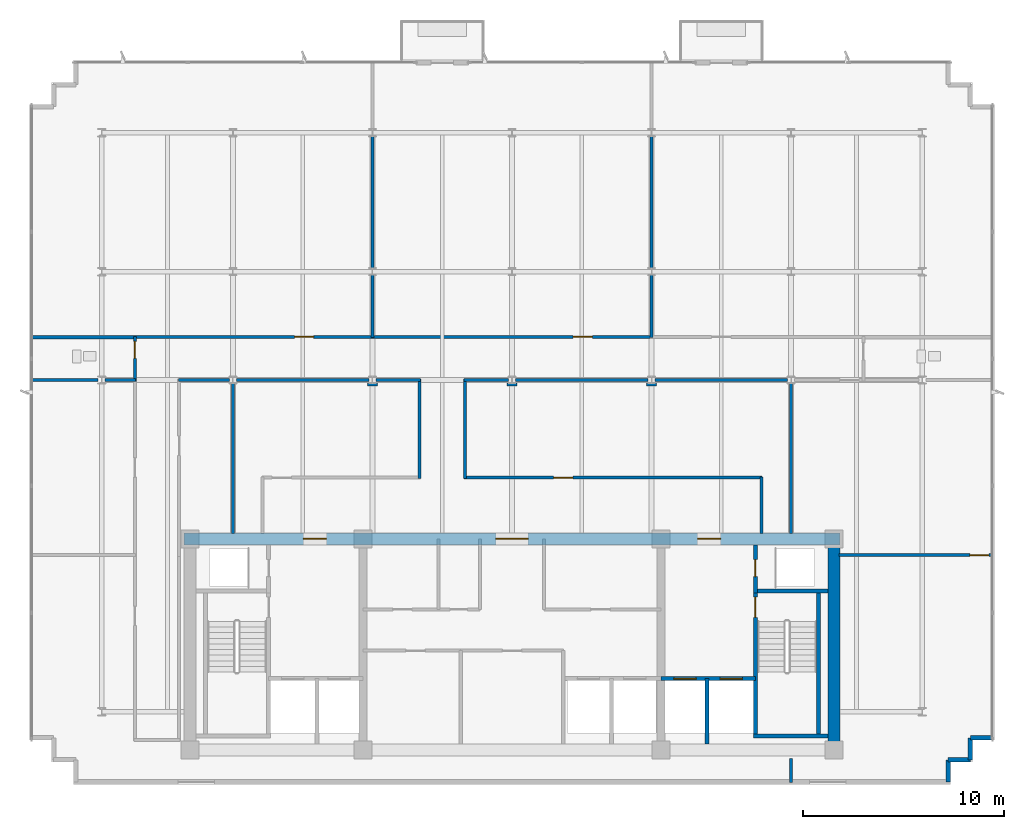
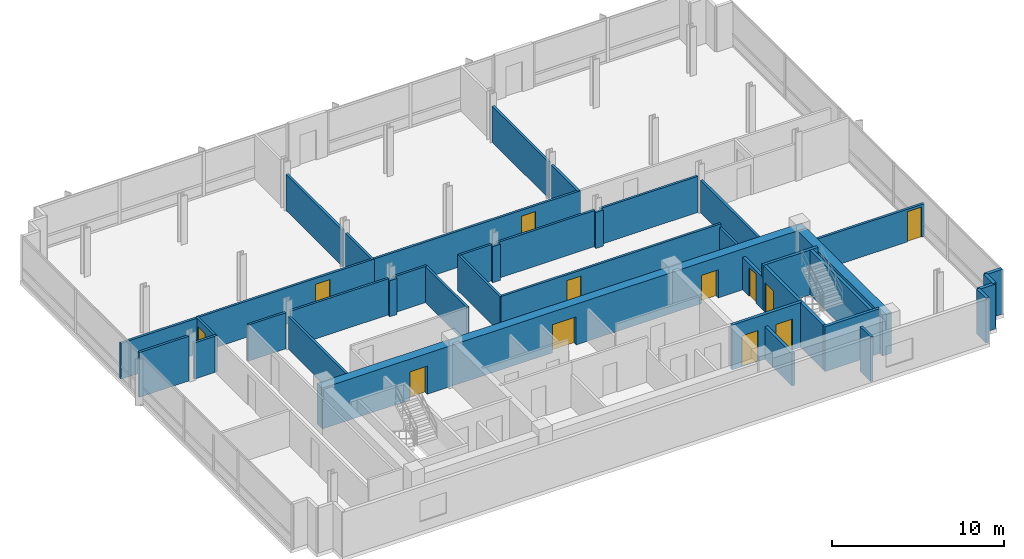
# One storey, part 9 of 13: 40 walls, 12 doors, 12 openings.
"""IFC4 building model written with IfcOpenShell, lengths in metres."""

from ifc_helpers import new_model, si_unit, direction, frame, frame_2d, origin, place, context, subcontext, project, spatial, rectangle, extrude, material, layer, layer_set, type_object, element, fill, save


model = new_model("IFC4")

# Units and contexts
model_context = context("Model", 3, precision=1e-05, world=origin(), true_north=direction((0.0, 1.0)))
body_context = subcontext(model_context, "Body", "Model", "MODEL_VIEW")
ifc_project = project(units=[si_unit("LENGTHUNIT", "METRE"), si_unit("AREAUNIT", "SQUARE_METRE"), si_unit("VOLUMEUNIT", "CUBIC_METRE"), si_unit("PLANEANGLEUNIT", "RADIAN"), si_unit("MASSUNIT", "GRAM", prefix="KILO")], contexts=[model_context])

# Site, building, storey
site_placement = place(None, origin())
site = spatial("IfcSite", under=ifc_project, at=site_placement, CompositionType="ELEMENT")
building_placement = place(site_placement, origin())
building = spatial("IfcBuilding", under=site, at=building_placement, Name="Solmavex Isthmus Hotel", CompositionType="ELEMENT")
storey_placement = place(building_placement, frame((0.0, 0.0, 279.89990234375)))
storey = spatial("IfcBuildingStorey", under=building, at=storey_placement, Name="L76", CompositionType="ELEMENT", Elevation=279.89990234375)

# Walls
ifc_material_1 = material(Name="Precast Concrete C40/50", Category="concrete")
ifc_layer_1 = layer(ifc_material_1, 0.25)
ifc_layer_set_1 = layer_set([ifc_layer_1], Name="Precast Concrete C40/50")
wall_type_1 = type_object("IfcWallType", Name="EW-TWR-250", PredefinedType="STANDARD", material=ifc_layer_set_1)
wall_1_placement = place(storey_placement, frame((23.889892578125, -12.389892578125, 0.0), z_axis=(0.0, 0.0, 1.0), x_axis=(-1.0, 0.0, 0.0)))
element("IfcWall", 1, at=wall_1_placement, inside=storey, type_object=wall_type_1, Name="Serrated Corner Facade Panel L76-16", PredefinedType="STANDARD", context=body_context, shape_type="SweptSolid", body=[
    extrude(rectangle(XDim=1.099853515625, YDim=0.219970703125, at=frame_2d((0.5498046875, 0.0))), origin(), (0.0, 0.0, 1.0), 3.190185546875),
])
for number, where, z_axis, x_axis, name in (
    (2, (22.7900390625, -12.389892578125, 0.0), (0.0, 0.0, 1.0), (0.0, -1.0, 0.0), "Serrated Corner Facade Panel L76-17"),
    (3, (22.7900390625, -13.489990234375, 0.0), (0.0, 0.0, 1.0), (-1.0, 0.0, 0.0), "Serrated Corner Facade Panel L76-18"),
    (4, (21.68994140625, -13.489990234375, 0.0), (0.0, 0.0, 1.0), (0.0, -1.0, 0.0), "Serrated Corner Facade Panel L76-19"),
):
    element("IfcWall", number, at=place(storey_placement, frame(where, z_axis=z_axis, x_axis=x_axis)), inside=storey, type_object=wall_type_1, Name=name, PredefinedType="STANDARD", context=body_context, shape_type="SweptSolid", body=[
        extrude(rectangle(XDim=1.10009765625, YDim=0.219970703125, at=frame_2d((0.550048828125, 0.0))), origin(), (0.0, 0.0, 1.0), 3.190185546875),
    ])
ifc_material_2 = material(Name="Gypsum plasterboard lining", Category="gypsum")
ifc_layer_2 = layer(ifc_material_2, 0.159912109375)
ifc_layer_set_2 = layer_set([ifc_layer_2], Name="Gypsum plasterboard lining")
wall_type_2 = type_object("IfcWallType", Name="IW-COMP-160", PredefinedType="PARTITIONING", material=ifc_layer_set_2)
wall_2_placement = place(storey_placement, frame((-6.93603515625, 10.613037109375, 0.0), z_axis=(0.0, 0.0, 1.0), x_axis=(0.0, -1.0, 0.0)))
element("IfcWall", 5, at=wall_2_placement, inside=storey, type_object=wall_type_2, Name="Interior Partition Wall W-L76-P027", PredefinedType="PARTITIONING", context=body_context, shape_type="SweptSolid", body=[
    extrude(rectangle(XDim=3.10302734375, YDim=0.159912109375, at=frame_2d((1.551513671875, 0.0))), origin(), (0.0, 0.0, 1.0), 2.572509765625),
])
wall_3_placement = place(storey_placement, frame((-6.93603515625, 17.52490234375, 0.0), z_axis=(0.0, 0.0, 1.0), x_axis=(0.0, -1.0, 0.0)))
element("IfcWall", 6, at=wall_3_placement, inside=storey, type_object=wall_type_2, Name="Interior Partition Wall W-L76-P028", PredefinedType="PARTITIONING", context=body_context, shape_type="SweptSolid", body=[
    extrude(rectangle(XDim=6.56201171875, YDim=0.159912109375, at=frame_2d((3.281005859375, 0.0))), origin(), (0.0, 0.0, 1.0), 2.572509765625),
])
wall_4_placement = place(storey_placement, frame((-18.7099609375, 7.530029296875, 0.0), z_axis=(0.0, 0.0, 1.0), x_axis=(-1.0, 0.0, 0.0)))
element("IfcWall", 7, at=wall_4_placement, inside=storey, type_object=wall_type_2, Name="Interior Partition Wall W-L76-P030", PredefinedType="PARTITIONING", context=body_context, shape_type="SweptSolid", body=[
    extrude(rectangle(XDim=5.2099609375, YDim=0.159912109375, at=frame_2d((2.60498046875, 0.0))), origin(), (0.0, 0.0, 1.0), 2.5576171875),
])
wall_5_placement = place(storey_placement, frame((6.93603515625, 10.613037109375, 0.0), z_axis=(0.0, 0.0, 1.0), x_axis=(0.0, -1.0, 0.0)))
element("IfcWall", 8, at=wall_5_placement, inside=storey, type_object=wall_type_2, Name="Interior Partition Wall W-L76-P031", PredefinedType="PARTITIONING", context=body_context, shape_type="SweptSolid", body=[
    extrude(rectangle(XDim=3.10302734375, YDim=0.159912109375, at=frame_2d((1.551513671875, 0.0))), origin(), (0.0, 0.0, 1.0), 2.572509765625),
])
wall_6_placement = place(storey_placement, frame((6.93603515625, 17.52490234375, 0.0), z_axis=(0.0, 0.0, 1.0), x_axis=(0.0, -1.0, 0.0)))
element("IfcWall", 9, at=wall_6_placement, inside=storey, type_object=wall_type_2, Name="Interior Partition Wall W-L76-P032", PredefinedType="PARTITIONING", context=body_context, shape_type="SweptSolid", body=[
    extrude(rectangle(XDim=6.56201171875, YDim=0.159912109375, at=frame_2d((3.281005859375, 0.0))), origin(), (0.0, 0.0, 1.0), 2.572509765625),
])
wall_7_placement = place(storey_placement, frame((-20.574951171875, 5.39990234375, 0.0), z_axis=(0.0, 0.0, 1.0), x_axis=(-1.0, 0.0, 0.0)))
element("IfcWall", 10, at=wall_7_placement, inside=storey, type_object=wall_type_2, Name="Interior Partition Wall W-L76-P035", PredefinedType="PARTITIONING", context=body_context, shape_type="SweptSolid", body=[
    extrude(rectangle(XDim=3.344970703125, YDim=0.159912109375, at=frame_2d((1.67236328125, 0.0))), origin(), (0.0, 0.0, 1.0), 3.190185546875),
])
wall_8_placement = place(storey_placement, frame((-18.7099609375, 5.39990234375, 0.0), z_axis=(0.0, 0.0, 1.0), x_axis=(-1.0, 0.0, 0.0)))
element("IfcWall", 11, at=wall_8_placement, inside=storey, type_object=wall_type_2, Name="Interior Partition Wall W-L76-P036", PredefinedType="PARTITIONING", context=body_context, shape_type="SweptSolid", body=[
    extrude(rectangle(XDim=1.51513671875, YDim=0.159912109375, at=frame_2d((0.757568359375, 0.0))), origin(), (0.0, 0.0, 1.0), 2.572509765625),
])
for number, where, z_axis, x_axis, name in (
    (12, (-13.8720703125, 5.22509765625, 0.0), (0.0, 0.0, 1.0), (0.0, -1.0, 0.0), "Interior Partition Wall W-L76-P039"),
    (13, (13.8720703125, 5.22509765625, 0.0), (0.0, 0.0, 1.0), (0.0, -1.0, 0.0), "Interior Partition Wall W-L76-P041"),
):
    element("IfcWall", number, at=place(storey_placement, frame(where, z_axis=z_axis, x_axis=x_axis)), inside=storey, type_object=wall_type_2, Name=name, PredefinedType="PARTITIONING", context=body_context, shape_type="SweptSolid", body=[
        extrude(rectangle(XDim=7.465087890625, YDim=0.159912109375, at=frame_2d((3.732421875, 0.0))), origin(), (0.0, 0.0, 1.0), 2.3251953125),
    ])

# Wall, opening, door
wall_9_placement = place(storey_placement, frame((23.919921875, -3.300048828125, 0.0), z_axis=(0.0, 0.0, 1.0), x_axis=(-1.0, 0.0, 0.0)))
wall_9 = element("IfcWall", 14, at=wall_9_placement, inside=storey, type_object=wall_type_2, Name="Interior Partition Wall W-L76-P042", PredefinedType="PARTITIONING", context=body_context, shape_type="SweptSolid", body=[
    extrude(rectangle(XDim=7.659912109375, YDim=0.159912109375, at=frame_2d((3.830078125, 0.0))), origin(), (0.0, 0.0, 1.0), 2.3251953125),
])
opening_1_placement = place(wall_9_placement, frame((0.2099609375, 0.0, 0.0)))
opening_1 = element("IfcOpeningElement", 15, at=opening_1_placement, cuts=wall_9, Name="Opening ID-C095", PredefinedType="OPENING", context=body_context, shape_type="SweptSolid", body=[
    extrude(rectangle(XDim=0.949951171875, YDim=2.14990234375, at=frame_2d((0.47509765625, 1.074951171875))), frame((0.0, 0.08984375, 0.0), z_axis=(0.0, -1.0, 0.0), x_axis=(1.0, 0.0, 0.0)), (0.0, 0.0, 1.0), 0.179931640625),
])
ifc_material_3 = material(Name="Hardwood timber", Category="wood")
door_type_1 = type_object("IfcDoorType", Name="IDR-FD60-0950", OperationType="NOTDEFINED", PredefinedType="DOOR", material=ifc_material_3)
door_1_placement = place(opening_1_placement, origin())
door_1 = element("IfcDoor", 16, at=door_1_placement, inside=storey, type_object=door_type_1, Name="Corporate Briefing Office Door L76-11", OperationType="SINGLE_SWING_LEFT", OverallHeight=2.14990234375, OverallWidth=0.949951171875, PredefinedType="DOOR", context=body_context, shape_type="SweptSolid", body=[
    extrude(rectangle(XDim=0.949951171875, YDim=2.14990234375, at=frame_2d((0.47509765625, 1.074951171875))), frame((0.0, 0.02490234375, 0.0), z_axis=(0.0, -1.0, 0.0), x_axis=(1.0, 0.0, 0.0)), (0.0, 0.0, 1.0), 0.050048828125),
])
fill(opening_1, door_1)

# Wall
wall_10_placement = place(storey_placement, frame((13.8720703125, -14.6201171875, 0.0), z_axis=(0.0, 0.0, 1.0), x_axis=(0.0, 1.0, 0.0)))
element("IfcWall", 17, at=wall_10_placement, inside=storey, type_object=wall_type_2, Name="Interior Partition Wall W-L76-P043", PredefinedType="PARTITIONING", context=body_context, shape_type="SweptSolid", body=[
    extrude(rectangle(XDim=1.210205078125, YDim=0.159912109375, at=frame_2d((0.60498046875, 0.0))), origin(), (0.0, 0.0, 1.0), 3.190185546875),
])

# Wall, opening, door
ifc_layer_3 = layer(ifc_material_2, 0.14990234375)
ifc_layer_set_3 = layer_set([ifc_layer_3], Name="Gypsum plasterboard lining")
wall_type_3 = type_object("IfcWallType", Name="IW-CORR-150", PredefinedType="PARTITIONING", material=ifc_layer_set_3)
wall_11_placement = place(storey_placement, frame((-18.7900390625, 7.550048828125, 0.0), z_axis=(0.0, 0.0, 1.0), x_axis=(1.0, 0.0, 0.0)))
wall_11 = element("IfcWall", 18, at=wall_11_placement, inside=storey, type_object=wall_type_3, Name="Interior Partition Wall W-L76-P001", PredefinedType="PARTITIONING", context=body_context, shape_type="SweptSolid", body=[
    extrude(rectangle(XDim=11.93603515625, YDim=0.14990234375, at=frame_2d((5.968017578125, 0.0))), origin(), (0.0, 0.0, 1.0), 2.572509765625),
])
opening_2_placement = place(wall_11_placement, frame((7.98291015625, 0.0, 0.0)))
opening_2 = element("IfcOpeningElement", 19, at=opening_2_placement, cuts=wall_11, Name="Opening ID-C095", PredefinedType="OPENING", context=body_context, shape_type="SweptSolid", body=[
    extrude(rectangle(XDim=0.949951171875, YDim=2.14990234375, at=frame_2d((0.47509765625, 1.074951171875))), frame((0.0, 0.0849609375, 0.0), z_axis=(0.0, -1.0, 0.0), x_axis=(1.0, 0.0, 0.0)), (0.0, 0.0, 1.0), 0.169921875),
])
door_2_placement = place(opening_2_placement, origin())
door_2 = element("IfcDoor", 20, at=door_2_placement, inside=storey, type_object=door_type_1, Name="Corporate Briefing Office Door L76-01", OperationType="SINGLE_SWING_LEFT", OverallHeight=2.14990234375, OverallWidth=0.949951171875, PredefinedType="DOOR", context=body_context, shape_type="SweptSolid", body=[
    extrude(rectangle(XDim=0.949951171875, YDim=2.14990234375, at=frame_2d((0.47509765625, 1.074951171875))), frame((0.0, 0.02490234375, 0.0), z_axis=(0.0, -1.0, 0.0), x_axis=(1.0, 0.0, 0.0)), (0.0, 0.0, 1.0), 0.050048828125),
])
fill(opening_2, door_2)

wall_12_placement = place(storey_placement, frame((-7.01806640625, 7.550048828125, 0.0), z_axis=(0.0, 0.0, 1.0), x_axis=(1.0, 0.0, 0.0)))
wall_12 = element("IfcWall", 21, at=wall_12_placement, inside=storey, type_object=wall_type_3, Name="Interior Partition Wall W-L76-P002", PredefinedType="PARTITIONING", context=body_context, shape_type="SweptSolid", body=[
    extrude(rectangle(XDim=14.0361328125, YDim=0.14990234375, at=frame_2d((7.01806640625, 0.0))), origin(), (0.0, 0.0, 1.0), 2.572509765625),
])
opening_3_placement = place(wall_12_placement, frame((10.059814453125, 0.0, 0.0)))
opening_3 = element("IfcOpeningElement", 22, at=opening_3_placement, cuts=wall_12, Name="Opening ID-C095", PredefinedType="OPENING", context=body_context, shape_type="SweptSolid", body=[
    extrude(rectangle(XDim=0.949951171875, YDim=2.14990234375, at=frame_2d((0.47509765625, 1.074951171875))), frame((0.0, 0.0849609375, 0.0), z_axis=(0.0, -1.0, 0.0), x_axis=(1.0, 0.0, 0.0)), (0.0, 0.0, 1.0), 0.169921875),
])
door_3_placement = place(opening_3_placement, origin())
door_3 = element("IfcDoor", 23, at=door_3_placement, inside=storey, type_object=door_type_1, Name="Corporate Briefing Office Door L76-02", OperationType="SINGLE_SWING_RIGHT", OverallHeight=2.14990234375, OverallWidth=0.949951171875, PredefinedType="DOOR", context=body_context, shape_type="SweptSolid", body=[
    extrude(rectangle(XDim=0.949951171875, YDim=2.14990234375, at=frame_2d((0.47509765625, 1.074951171875))), frame((0.0, 0.02490234375, 0.0), z_axis=(0.0, -1.0, 0.0), x_axis=(1.0, 0.0, 0.0)), (0.0, 0.0, 1.0), 0.050048828125),
])
fill(opening_3, door_3)

wall_13_placement = place(storey_placement, frame((-18.75, 5.318115234375, 0.0), z_axis=(0.0, 0.0, 1.0), x_axis=(0.0, 1.0, 0.0)))
wall_13 = element("IfcWall", 24, at=wall_13_placement, inside=storey, type_object=wall_type_3, Name="Interior Partition Wall W-L76-P004", PredefinedType="PARTITIONING", context=body_context, shape_type="SweptSolid", body=[
    extrude(rectangle(XDim=2.251953125, YDim=0.14990234375, at=frame_2d((1.1259765625, 0.0))), origin(), (0.0, 0.0, 1.0), 2.572509765625),
])
opening_4_placement = place(wall_13_placement, frame((1.156982421875, 0.0, 0.0)))
opening_4 = element("IfcOpeningElement", 25, at=opening_4_placement, cuts=wall_13, Name="Opening ID-R085", PredefinedType="OPENING", context=body_context, shape_type="SweptSolid", body=[
    extrude(rectangle(XDim=0.85009765625, YDim=2.050048828125, at=frame_2d((0.425048828125, 1.02490234375))), frame((0.0, 0.0849609375, 0.0), z_axis=(0.0, -1.0, 0.0), x_axis=(1.0, 0.0, 0.0)), (0.0, 0.0, 1.0), 0.169921875),
])
ifc_material_4 = material(Name="Steel ASTM A500 Grade C", Category="steel")
door_type_2 = type_object("IfcDoorType", Name="IDR-FD60-0850", OperationType="NOTDEFINED", PredefinedType="DOOR", material=ifc_material_4)
door_4_placement = place(opening_4_placement, frame((0.85009765625, 0.0, 0.0), z_axis=(0.0, 0.0, 1.0), x_axis=(-1.0, 0.0, 0.0)))
door_4 = element("IfcDoor", 26, at=door_4_placement, inside=storey, type_object=door_type_2, Name="Accessible Public Restroom WC Door L76-04", OperationType="SINGLE_SWING_RIGHT", OverallHeight=2.050048828125, OverallWidth=0.85009765625, PredefinedType="DOOR", context=body_context, shape_type="SweptSolid", body=[
    extrude(rectangle(XDim=0.85009765625, YDim=2.050048828125, at=frame_2d((0.425048828125, 1.02490234375))), frame((0.0, 0.02490234375, 0.0), z_axis=(0.0, -1.0, 0.0), x_axis=(1.0, 0.0, 0.0)), (0.0, 0.0, 1.0), 0.050048828125),
])
fill(opening_4, door_4)

# Walls
wall_14_placement = place(storey_placement, frame((-14.047119140625, 5.39990234375, 0.0), z_axis=(0.0, 0.0, 1.0), x_axis=(-1.0, 0.0, 0.0)))
element("IfcWall", 27, at=wall_14_placement, inside=storey, type_object=wall_type_3, Name="Interior Partition Wall W-L76-P006", PredefinedType="PARTITIONING", context=body_context, shape_type="SweptSolid", body=[
    extrude(rectangle(XDim=2.54296875, YDim=0.14990234375, at=frame_2d((1.271484375, 0.0))), origin(), (0.0, 0.0, 1.0), 2.572509765625),
])
wall_15_placement = place(storey_placement, frame((-4.587890625, 0.510009765625, 0.0), z_axis=(0.0, 0.0, 1.0), x_axis=(0.0, 1.0, 0.0)))
element("IfcWall", 28, at=wall_15_placement, inside=storey, type_object=wall_type_3, Name="Interior Partition Wall W-L76-P011", PredefinedType="PARTITIONING", context=body_context, shape_type="SweptSolid", body=[
    extrude(rectangle(XDim=4.929931640625, YDim=0.14990234375, at=frame_2d((2.46484375, 0.0))), origin(), (0.0, 0.0, 1.0), 2.572509765625),
])
wall_16_placement = place(storey_placement, frame((-4.548095703125, 5.39990234375, 0.0), z_axis=(0.0, 0.0, 1.0), x_axis=(-1.0, 0.0, 0.0)))
element("IfcWall", 29, at=wall_16_placement, inside=storey, type_object=wall_type_3, Name="Interior Partition Wall W-L76-P012", PredefinedType="PARTITIONING", context=body_context, shape_type="SweptSolid", body=[
    extrude(rectangle(XDim=2.212890625, YDim=0.14990234375, at=frame_2d((1.1064453125, 0.0))), origin(), (0.0, 0.0, 1.0), 2.572509765625),
])
wall_17_placement = place(storey_placement, frame((-6.680908203125, 5.18505859375, 0.0), z_axis=(0.0, 0.0, 1.0), x_axis=(-1.0, 0.0, 0.0)))
element("IfcWall", 30, at=wall_17_placement, inside=storey, type_object=wall_type_3, Name="Interior Partition Wall W-L76-P013", PredefinedType="PARTITIONING", context=body_context, shape_type="SweptSolid", body=[
    extrude(rectangle(XDim=0.510009765625, YDim=0.14990234375, at=frame_2d((0.2548828125, 0.0))), origin(), (0.0, 0.0, 1.0), 2.572509765625),
])
for number, where, z_axis, x_axis, name in (
    (31, (-7.111083984375, 5.39990234375, 0.0), (0.0, 0.0, 1.0), (-1.0, 0.0, 0.0), "Interior Partition Wall W-L76-P014"),
    (32, (13.697021484375, 5.39990234375, 0.0), (0.0, 0.0, 1.0), (-1.0, 0.0, 0.0), "Interior Partition Wall W-L76-P015"),
):
    element("IfcWall", number, at=place(storey_placement, frame(where, z_axis=z_axis, x_axis=x_axis)), inside=storey, type_object=wall_type_3, Name=name, PredefinedType="PARTITIONING", context=body_context, shape_type="SweptSolid", body=[
        extrude(rectangle(XDim=6.5859375, YDim=0.14990234375, at=frame_2d((3.29296875, 0.0))), origin(), (0.0, 0.0, 1.0), 2.572509765625),
    ])
wall_18_placement = place(storey_placement, frame((7.19091796875, 5.18505859375, 0.0), z_axis=(0.0, 0.0, 1.0), x_axis=(-1.0, 0.0, 0.0)))
element("IfcWall", 33, at=wall_18_placement, inside=storey, type_object=wall_type_3, Name="Interior Partition Wall W-L76-P016", PredefinedType="PARTITIONING", context=body_context, shape_type="SweptSolid", body=[
    extrude(rectangle(XDim=0.510009765625, YDim=0.14990234375, at=frame_2d((0.2548828125, 0.0))), origin(), (0.0, 0.0, 1.0), 2.572509765625),
])
wall_19_placement = place(storey_placement, frame((6.760986328125, 5.39990234375, 0.0), z_axis=(0.0, 0.0, 1.0), x_axis=(-1.0, 0.0, 0.0)))
element("IfcWall", 34, at=wall_19_placement, inside=storey, type_object=wall_type_3, Name="Interior Partition Wall W-L76-P017", PredefinedType="PARTITIONING", context=body_context, shape_type="SweptSolid", body=[
    extrude(rectangle(XDim=6.5859375, YDim=0.14990234375, at=frame_2d((3.29296875, 0.0))), origin(), (0.0, 0.0, 1.0), 2.572509765625),
])
wall_20_placement = place(storey_placement, frame((0.2548828125, 5.18505859375, 0.0), z_axis=(0.0, 0.0, 1.0), x_axis=(-1.0, 0.0, 0.0)))
element("IfcWall", 35, at=wall_20_placement, inside=storey, type_object=wall_type_3, Name="Interior Partition Wall W-L76-P018", PredefinedType="PARTITIONING", context=body_context, shape_type="SweptSolid", body=[
    extrude(rectangle(XDim=0.509765625, YDim=0.14990234375, at=frame_2d((0.2548828125, 0.0))), origin(), (0.0, 0.0, 1.0), 2.572509765625),
])
wall_21_placement = place(storey_placement, frame((-0.175048828125, 5.39990234375, 0.0), z_axis=(0.0, 0.0, 1.0), x_axis=(-1.0, 0.0, 0.0)))
element("IfcWall", 36, at=wall_21_placement, inside=storey, type_object=wall_type_3, Name="Interior Partition Wall W-L76-P019", PredefinedType="PARTITIONING", context=body_context, shape_type="SweptSolid", body=[
    extrude(rectangle(XDim=2.212890625, YDim=0.14990234375, at=frame_2d((1.1064453125, 0.0))), origin(), (0.0, 0.0, 1.0), 2.572509765625),
])
wall_22_placement = place(storey_placement, frame((-2.347900390625, 5.43994140625, 0.0), z_axis=(0.0, 0.0, 1.0), x_axis=(0.0, -1.0, 0.0)))
element("IfcWall", 37, at=wall_22_placement, inside=storey, type_object=wall_type_3, Name="Interior Partition Wall W-L76-P020", PredefinedType="PARTITIONING", context=body_context, shape_type="SweptSolid", body=[
    extrude(rectangle(XDim=4.929931640625, YDim=0.14990234375, at=frame_2d((2.46484375, 0.0))), origin(), (0.0, 0.0, 1.0), 2.572509765625),
])

# Wall, opening, door
wall_23_placement = place(storey_placement, frame((-2.387939453125, 0.550048828125, 0.0), z_axis=(0.0, 0.0, 1.0), x_axis=(1.0, 0.0, 0.0)))
wall_23 = element("IfcWall", 38, at=wall_23_placement, inside=storey, type_object=wall_type_3, Name="Interior Partition Wall W-L76-P021", PredefinedType="PARTITIONING", context=body_context, shape_type="SweptSolid", body=[
    extrude(rectangle(XDim=14.827880859375, YDim=0.14990234375, at=frame_2d((7.4140625, 0.0))), origin(), (0.0, 0.0, 1.0), 2.572509765625),
])
opening_5_placement = place(wall_23_placement, frame((4.461181640625, 0.0, 0.0)))
opening_5 = element("IfcOpeningElement", 39, at=opening_5_placement, cuts=wall_23, Name="Opening ID-C095", PredefinedType="OPENING", context=body_context, shape_type="SweptSolid", body=[
    extrude(rectangle(XDim=0.949951171875, YDim=2.14990234375, at=frame_2d((0.47509765625, 1.074951171875))), frame((0.0, 0.0849609375, 0.0), z_axis=(0.0, -1.0, 0.0), x_axis=(1.0, 0.0, 0.0)), (0.0, 0.0, 1.0), 0.169921875),
])
door_5_placement = place(opening_5_placement, frame((0.949951171875, 0.0, 0.0), z_axis=(0.0, 0.0, 1.0), x_axis=(-1.0, 0.0, 0.0)))
door_5 = element("IfcDoor", 40, at=door_5_placement, inside=storey, type_object=door_type_1, Name="Wine Tasting Lounge Door L76-09", OperationType="SINGLE_SWING_LEFT", OverallHeight=2.14990234375, OverallWidth=0.949951171875, PredefinedType="DOOR", context=body_context, shape_type="SweptSolid", body=[
    extrude(rectangle(XDim=0.949951171875, YDim=2.14990234375, at=frame_2d((0.47509765625, 1.074951171875))), frame((0.0, 0.02490234375, 0.0), z_axis=(0.0, -1.0, 0.0), x_axis=(1.0, 0.0, 0.0)), (0.0, 0.0, 1.0), 0.050048828125),
])
fill(opening_5, door_5)

# Wall
wall_24_placement = place(storey_placement, frame((12.39990234375, 0.590087890625, 0.0), z_axis=(0.0, 0.0, 1.0), x_axis=(0.0, -1.0, 0.0)))
element("IfcWall", 41, at=wall_24_placement, inside=storey, type_object=wall_type_3, Name="Interior Partition Wall W-L76-P022", PredefinedType="PARTITIONING", context=body_context, shape_type="SweptSolid", body=[
    extrude(rectangle(XDim=2.830078125, YDim=0.14990234375, at=frame_2d((1.4150390625, 0.0))), origin(), (0.0, 0.0, 1.0), 2.3251953125),
])

# Wall, opening, door
ifc_material_5 = material(Name="Concrete C40/50", Category="concrete")
ifc_layer_4 = layer(ifc_material_5, 0.199951171875)
ifc_layer_set_4 = layer_set([ifc_layer_4], Name="Concrete C40/50")
wall_type_4 = type_object("IfcWallType", Name="IW-SHAFT-200", PredefinedType="PARTITIONING", material=ifc_layer_set_4)
wall_25_placement = place(storey_placement, frame((12.10009765625, -5.199951171875, 0.0), z_axis=(0.0, 0.0, 1.0), x_axis=(0.0, 1.0, 0.0)))
wall_25 = element("IfcWall", 42, at=wall_25_placement, inside=storey, type_object=wall_type_4, Name="Interior Partition Wall W-L76-RSE-W", PredefinedType="PARTITIONING", context=body_context, shape_type="SweptSolid", body=[
    extrude(rectangle(XDim=2.39990234375, YDim=0.199951171875, at=frame_2d((1.199951171875, 0.0))), origin(), (0.0, 0.0, 1.0), 2.3251953125),
])
opening_6_placement = place(wall_25_placement, frame((0.824951171875, 0.0, 0.0)))
opening_6 = element("IfcOpeningElement", 43, at=opening_6_placement, cuts=wall_25, Name="Opening ID-R085", PredefinedType="OPENING", context=body_context, shape_type="SweptSolid", body=[
    extrude(rectangle(XDim=0.85009765625, YDim=2.050048828125, at=frame_2d((0.425048828125, 1.02490234375))), frame((0.0, 0.10986328125, 0.0), z_axis=(0.0, -1.0, 0.0), x_axis=(1.0, 0.0, 0.0)), (0.0, 0.0, 1.0), 0.219970703125),
])
door_6_placement = place(opening_6_placement, frame((0.85009765625, 0.0, 0.0), z_axis=(0.0, 0.0, 1.0), x_axis=(-1.0, 0.0, 0.0)))
door_6 = element("IfcDoor", 44, at=door_6_placement, inside=storey, type_object=door_type_2, Name="Mechanical Riser Door L76", OperationType="SINGLE_SWING_LEFT", OverallHeight=2.050048828125, OverallWidth=0.85009765625, PredefinedType="DOOR", context=body_context, shape_type="SweptSolid", body=[
    extrude(rectangle(XDim=0.85009765625, YDim=2.050048828125, at=frame_2d((0.425048828125, 1.02490234375))), frame((0.0, 0.02490234375, 0.0), z_axis=(0.0, -1.0, 0.0), x_axis=(1.0, 0.0, 0.0)), (0.0, 0.0, 1.0), 0.050048828125),
])
fill(opening_6, door_6)

# Wall, openings, doors
wall_26_placement = place(storey_placement, frame((7.39990234375, -9.449951171875, 0.0), z_axis=(0.0, 0.0, 1.0), x_axis=(1.0, 0.0, 0.0)))
wall_26 = element("IfcWall", 45, at=wall_26_placement, inside=storey, type_object=wall_type_4, Name="Interior Partition Wall W-L76-FFLE-S", PredefinedType="PARTITIONING", context=body_context, shape_type="SweptSolid", body=[
    extrude(rectangle(XDim=4.7001953125, YDim=0.199951171875, at=frame_2d((2.35009765625, 0.0))), origin(), (0.0, 0.0, 1.0), 3.190185546875),
])
opening_7_placement = place(wall_26_placement, frame((2.949951171875, 0.0, 0.0)))
opening_7 = element("IfcOpeningElement", 46, at=opening_7_placement, cuts=wall_26, Name="Opening LD-FF", PredefinedType="OPENING", context=body_context, shape_type="SweptSolid", body=[
    extrude(rectangle(XDim=1.10009765625, YDim=2.199951171875, at=frame_2d((0.550048828125, 1.10009765625))), frame((0.0, 0.10986328125, 0.0), z_axis=(0.0, -1.0, 0.0), x_axis=(1.0, 0.0, 0.0)), (0.0, 0.0, 1.0), 0.219970703125),
])
opening_8_placement = place(wall_26_placement, frame((0.64990234375, 0.0, 0.0)))
opening_8 = element("IfcOpeningElement", 47, at=opening_8_placement, cuts=wall_26, Name="Opening LD-SV", PredefinedType="OPENING", context=body_context, shape_type="SweptSolid", body=[
    extrude(rectangle(XDim=1.10009765625, YDim=2.199951171875, at=frame_2d((0.550048828125, 1.10009765625))), frame((0.0, 0.10986328125, 0.0), z_axis=(0.0, -1.0, 0.0), x_axis=(1.0, 0.0, 0.0)), (0.0, 0.0, 1.0), 0.219970703125),
])
ifc_material_6 = material(Name="Stainless steel 316", Category="steel")
door_type_3 = type_object("IfcDoorType", Name="LDR-FF-1100", OperationType="NOTDEFINED", PredefinedType="DOOR", material=ifc_material_6)
door_7_placement = place(opening_7_placement, origin())
door_7 = element("IfcDoor", 48, at=door_7_placement, inside=storey, type_object=door_type_3, Name="Lift Landing Door FFL-2 L76", OperationType="SLIDING_TO_LEFT", OverallHeight=2.199951171875, OverallWidth=1.10009765625, PredefinedType="DOOR", context=body_context, shape_type="SweptSolid", body=[
    extrude(rectangle(XDim=1.10009765625, YDim=2.199951171875, at=frame_2d((0.550048828125, 1.10009765625))), frame((0.0, 0.02490234375, 0.0), z_axis=(0.0, -1.0, 0.0), x_axis=(1.0, 0.0, 0.0)), (0.0, 0.0, 1.0), 0.050048828125),
])
fill(opening_7, door_7)
door_type_4 = type_object("IfcDoorType", Name="LDR-SV-1100", OperationType="NOTDEFINED", PredefinedType="DOOR", material=ifc_material_6)
door_8_placement = place(opening_8_placement, origin())
door_8 = element("IfcDoor", 49, at=door_8_placement, inside=storey, type_object=door_type_4, Name="Lift Landing Door SVL-2 L76", OperationType="SLIDING_TO_RIGHT", OverallHeight=2.199951171875, OverallWidth=1.10009765625, PredefinedType="DOOR", context=body_context, shape_type="SweptSolid", body=[
    extrude(rectangle(XDim=1.10009765625, YDim=2.199951171875, at=frame_2d((0.550048828125, 1.10009765625))), frame((0.0, 0.02490234375, 0.0), z_axis=(0.0, -1.0, 0.0), x_axis=(1.0, 0.0, 0.0)), (0.0, 0.0, 1.0), 0.050048828125),
])
fill(opening_8, door_8)

# Wall
wall_27_placement = place(storey_placement, frame((9.699951171875, -12.699951171875, 0.0), z_axis=(0.0, 0.0, 1.0), x_axis=(0.0, 1.0, 0.0)))
element("IfcWall", 50, at=wall_27_placement, inside=storey, type_object=wall_type_4, Name="Interior Partition Wall W-L76-FFLE-M", PredefinedType="PARTITIONING", context=body_context, shape_type="SweptSolid", body=[
    extrude(rectangle(XDim=3.25, YDim=0.199951171875, at=frame_2d((1.625, 0.0))), origin(), (0.0, 0.0, 1.0), 2.3251953125),
])

# Wall, openings, doors
ifc_material_7 = material(Name="Concrete C50/60", Category="concrete")
ifc_layer_5 = layer(ifc_material_7, 0.60009765625)
ifc_layer_set_5 = layer_set([ifc_layer_5], Name="Concrete C50/60")
wall_type_5 = type_object("IfcWallType", Name="WALL-CW-600", PredefinedType="SHEAR", material=ifc_layer_set_5)
wall_28_placement = place(storey_placement, frame((-16.300048828125, -2.5, 0.0), z_axis=(0.0, 0.0, 1.0), x_axis=(1.0, 0.0, 0.0)))
wall_28 = element("IfcWall", 51, at=wall_28_placement, inside=storey, type_object=wall_type_5, Name="Core Shear Wall North L76", PredefinedType="SHEAR", context=body_context, shape_type="SweptSolid", body=[
    extrude(rectangle(XDim=32.60009765625, YDim=0.60009765625, at=frame_2d((16.300048828125, 0.0))), origin(), (0.0, 0.0, 1.0), 2.91015625),
])
opening_9_placement = place(wall_28_placement, frame((5.925048828125, 0.0, 0.0)))
opening_9 = element("IfcOpeningElement", 52, at=opening_9_placement, cuts=wall_28, Name="Opening ID-F915", PredefinedType="OPENING", context=body_context, shape_type="SweptSolid", body=[
    extrude(rectangle(XDim=1.14990234375, YDim=2.0, at=frame_2d((0.574951171875, 1.0))), frame((0.0, 0.31005859375, 0.0), z_axis=(0.0, -1.0, 0.0), x_axis=(1.0, 0.0, 0.0)), (0.0, 0.0, 1.0), 0.6201171875),
])
opening_10_placement = place(wall_28_placement, frame((15.5, 0.0, 0.0)))
opening_10 = element("IfcOpeningElement", 53, at=opening_10_placement, cuts=wall_28, Name="Opening ID-F960", PredefinedType="OPENING", context=body_context, shape_type="SweptSolid", body=[
    extrude(rectangle(XDim=1.60009765625, YDim=2.0, at=frame_2d((0.800048828125, 1.0))), frame((0.0, 0.31005859375, 0.0), z_axis=(0.0, -1.0, 0.0), x_axis=(1.0, 0.0, 0.0)), (0.0, 0.0, 1.0), 0.6201171875),
])
opening_11_placement = place(wall_28_placement, frame((25.52490234375, 0.0, 0.0)))
opening_11 = element("IfcOpeningElement", 54, at=opening_11_placement, cuts=wall_28, Name="Opening ID-F915", PredefinedType="OPENING", context=body_context, shape_type="SweptSolid", body=[
    extrude(rectangle(XDim=1.14990234375, YDim=2.0, at=frame_2d((0.574951171875, 1.0))), frame((0.0, 0.31005859375, 0.0), z_axis=(0.0, -1.0, 0.0), x_axis=(1.0, 0.0, 0.0)), (0.0, 0.0, 1.0), 0.6201171875),
])
door_type_5 = type_object("IfcDoorType", Name="IDR-FD90-1150C", OperationType="NOTDEFINED", PredefinedType="DOOR", material=ifc_material_4)
door_9_placement = place(opening_9_placement, origin())
door_9 = element("IfcDoor", 55, at=door_9_placement, inside=storey, type_object=door_type_5, Name="Firefighting Lobby West Exit Door L76", OperationType="SINGLE_SWING_LEFT", OverallHeight=2.0, OverallWidth=1.14990234375, PredefinedType="DOOR", context=body_context, shape_type="SweptSolid", body=[
    extrude(rectangle(XDim=1.14990234375, YDim=2.0, at=frame_2d((0.574951171875, 1.0))), frame((0.0, 0.02490234375, 0.0), z_axis=(0.0, -1.0, 0.0), x_axis=(1.0, 0.0, 0.0)), (0.0, 0.0, 1.0), 0.050048828125),
])
fill(opening_9, door_9)
door_10_placement = place(opening_11_placement, origin())
door_10 = element("IfcDoor", 56, at=door_10_placement, inside=storey, type_object=door_type_5, Name="Firefighting Lobby East Exit Door L76", OperationType="SINGLE_SWING_RIGHT", OverallHeight=2.0, OverallWidth=1.14990234375, PredefinedType="DOOR", context=body_context, shape_type="SweptSolid", body=[
    extrude(rectangle(XDim=1.14990234375, YDim=2.0, at=frame_2d((0.574951171875, 1.0))), frame((0.0, 0.02490234375, 0.0), z_axis=(0.0, -1.0, 0.0), x_axis=(1.0, 0.0, 0.0)), (0.0, 0.0, 1.0), 0.050048828125),
])
fill(opening_11, door_10)
door_type_6 = type_object("IfcDoorType", Name="IDR-FD90-1600C", OperationType="NOTDEFINED", PredefinedType="DOOR", material=ifc_material_4)
door_11_placement = place(opening_10_placement, origin())
door_11 = element("IfcDoor", 57, at=door_11_placement, inside=storey, type_object=door_type_6, Name="Central Lift Lobby Door L76", OperationType="DOUBLE_DOOR_SINGLE_SWING", OverallHeight=2.0, OverallWidth=1.60009765625, PredefinedType="DOOR", context=body_context, shape_type="SweptSolid", body=[
    extrude(rectangle(XDim=1.60009765625, YDim=2.0, at=frame_2d((0.800048828125, 1.0))), frame((0.0, 0.02490234375, 0.0), z_axis=(0.0, -1.0, 0.0), x_axis=(1.0, 0.0, 0.0)), (0.0, 0.0, 1.0), 0.050048828125),
])
fill(opening_10, door_11)

# Walls
wall_29_placement = place(storey_placement, frame((16.0, -12.699951171875, 0.0), z_axis=(0.0, 0.0, 1.0), x_axis=(0.0, 1.0, 0.0)))
element("IfcWall", 58, at=wall_29_placement, inside=storey, type_object=wall_type_5, Name="Core Shear Wall East L76", PredefinedType="SHEAR", context=body_context, shape_type="SweptSolid", body=[
    extrude(rectangle(XDim=9.89990234375, YDim=0.60009765625, at=frame_2d((4.949951171875, 0.0))), origin(), (0.0, 0.0, 1.0), 2.91015625),
])
ifc_layer_6 = layer(ifc_material_5, 0.199951171875)
ifc_layer_set_6 = layer_set([ifc_layer_6], Name="Concrete C40/50")
wall_type_6 = type_object("IfcWallType", Name="WALL-SW-200", PredefinedType="SOLIDWALL", material=ifc_layer_set_6)
for number, where, z_axis, x_axis, name in (
    (59, (12.0, -12.300048828125, 0.0), (0.0, 0.0, 1.0), (1.0, 0.0, 0.0), "Stairwell Structural Wall SW-L76-ST2-S"),
    (60, (12.0, -5.10009765625, 0.0), (0.0, 0.0, 1.0), (1.0, 0.0, 0.0), "Stairwell Structural Wall SW-L76-ST2-N"),
):
    element("IfcWall", number, at=place(storey_placement, frame(where, z_axis=z_axis, x_axis=x_axis)), inside=storey, type_object=wall_type_6, Name=name, PredefinedType="SOLIDWALL", context=body_context, shape_type="SweptSolid", body=[
        extrude(rectangle(XDim=3.699951171875, YDim=0.199951171875, at=frame_2d((1.85009765625, 0.0))), origin(), (0.0, 0.0, 1.0), 3.190185546875),
    ])

# Wall, opening, door
wall_30_placement = place(storey_placement, frame((12.10009765625, -12.199951171875, 0.0), z_axis=(0.0, 0.0, 1.0), x_axis=(0.0, 1.0, 0.0)))
wall_30 = element("IfcWall", 61, at=wall_30_placement, inside=storey, type_object=wall_type_6, Name="Stairwell Structural Wall SW-L76-ST2-W", PredefinedType="SOLIDWALL", context=body_context, shape_type="SweptSolid", body=[
    extrude(rectangle(XDim=7.0, YDim=0.199951171875, at=frame_2d((3.5, 0.0))), origin(), (0.0, 0.0, 1.0), 3.190185546875),
])
opening_12_placement = place(wall_30_placement, frame((5.800048828125, 0.0, 0.0)))
opening_12 = element("IfcOpeningElement", 62, at=opening_12_placement, cuts=wall_30, Name="Opening ID-F100", PredefinedType="OPENING", context=body_context, shape_type="SweptSolid", body=[
    extrude(rectangle(XDim=1.0, YDim=2.10009765625, at=frame_2d((0.5, 1.050048828125))), frame((0.0, 0.10986328125, 0.0), z_axis=(0.0, -1.0, 0.0), x_axis=(1.0, 0.0, 0.0)), (0.0, 0.0, 1.0), 0.219970703125),
])
door_type_7 = type_object("IfcDoorType", Name="IDR-FD90-1000", OperationType="NOTDEFINED", PredefinedType="DOOR", material=ifc_material_4)
door_12_placement = place(opening_12_placement, origin())
door_12 = element("IfcDoor", 63, at=door_12_placement, inside=storey, type_object=door_type_7, Name="Stair ST-2 Fire Door L76", OperationType="SINGLE_SWING_RIGHT", OverallHeight=2.10009765625, OverallWidth=1.0, PredefinedType="DOOR", context=body_context, shape_type="SweptSolid", body=[
    extrude(rectangle(XDim=1.0, YDim=2.10009765625, at=frame_2d((0.5, 1.050048828125))), frame((0.0, 0.02490234375, 0.0), z_axis=(0.0, -1.0, 0.0), x_axis=(1.0, 0.0, 0.0)), (0.0, 0.0, 1.0), 0.050048828125),
])
fill(opening_12, door_12)

# Wall
wall_31_placement = place(storey_placement, frame((15.25, -12.199951171875, 0.0), z_axis=(0.0, 0.0, 1.0), x_axis=(0.0, 1.0, 0.0)))
element("IfcWall", 64, at=wall_31_placement, inside=storey, type_object=wall_type_6, Name="Stairwell Structural Wall SW-L76-ST2-E", PredefinedType="SOLIDWALL", context=body_context, shape_type="SweptSolid", body=[
    extrude(rectangle(XDim=7.0, YDim=0.199951171875, at=frame_2d((3.5, 0.0))), origin(), (0.0, 0.0, 1.0), 3.190185546875),
])

save(model, "model.ifc")
